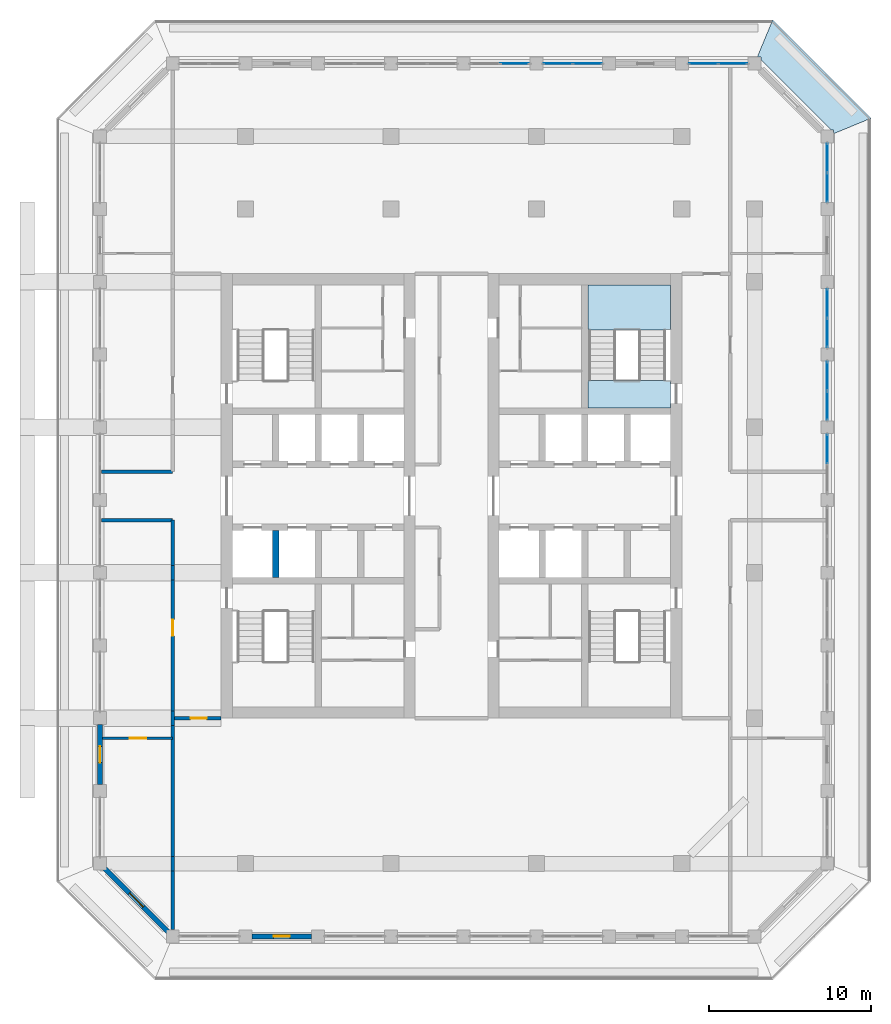
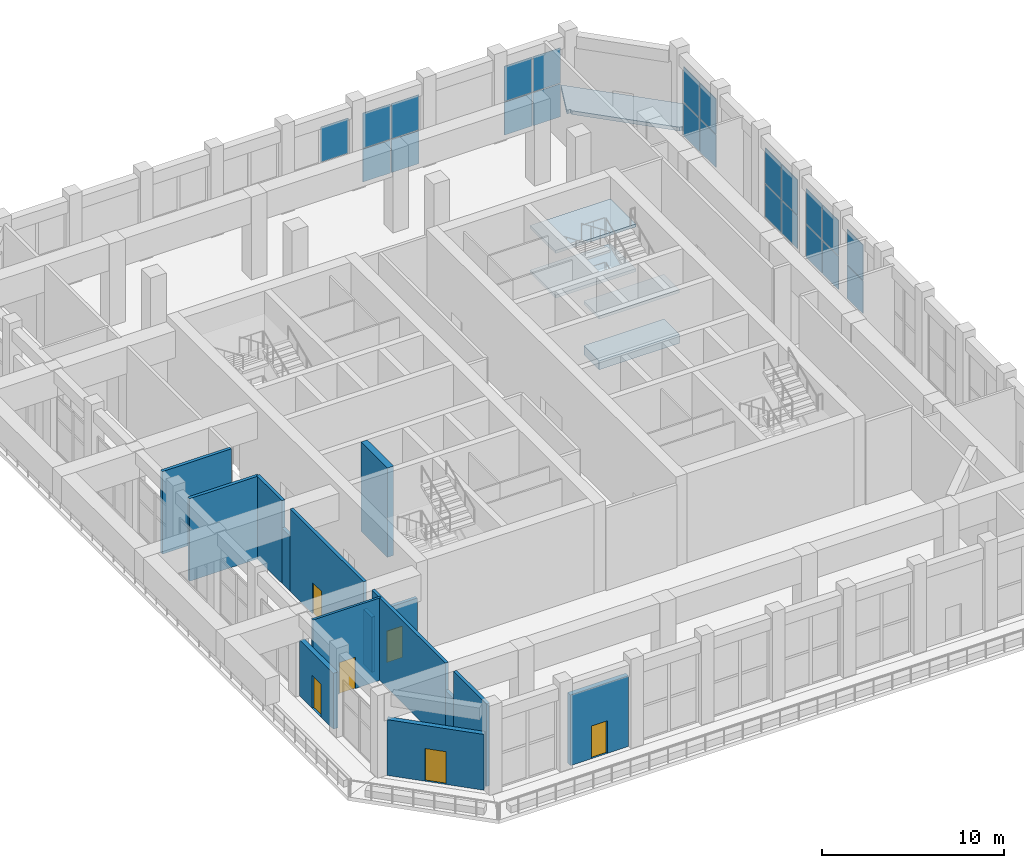
# One storey, part 11 of 25: 23 plates, 15 walls, 6 doors, 5 slabs, 6 openings, 8 elements without a shape of their own.
"""IFC4 building model written with IfcOpenShell, lengths in metres."""

from ifc_helpers import new_model, si_unit, direction, frame, frame_2d, origin, origin_2d, place, context, subcontext, project, spatial, polyline, rectangle, outline, extrude, material, layer, layer_set, type_object, element, fill, aggregate, save


model = new_model("IFC4")

# Units and contexts
model_context = context("Model", 3, precision=1e-05, world=origin(), true_north=direction((0.0, 1.0)))
body_context = subcontext(model_context, "Body", "Model", "MODEL_VIEW")
ifc_project = project(units=[si_unit("LENGTHUNIT", "METRE"), si_unit("AREAUNIT", "SQUARE_METRE"), si_unit("VOLUMEUNIT", "CUBIC_METRE"), si_unit("PLANEANGLEUNIT", "RADIAN"), si_unit("MASSUNIT", "GRAM", prefix="KILO")], contexts=[model_context])

# Site, building, storey
site_placement = place(None, origin())
site = spatial("IfcSite", under=ifc_project, at=site_placement, CompositionType="ELEMENT")
building_placement = place(site_placement, origin())
building = spatial("IfcBuilding", under=site, at=building_placement, Name="Corbel Stack Research Tower", CompositionType="ELEMENT")
storey_placement = place(building_placement, frame((0.0, 0.0, 260.300048828125)))
storey = spatial("IfcBuildingStorey", under=building, at=storey_placement, Name="L59", CompositionType="ELEMENT", Elevation=260.300048828125)

# Curtain wall, plates
ifc_material_1 = material(Name="Aluminium frame, clear glass", Category="aluminium")
curtain_wall_type = type_object("IfcCurtainWallType", Name="Upper amenity floor curtain wall CW3", PredefinedType="NOTDEFINED", material=ifc_material_1)
curtain_wall_1_placement = place(storey_placement, origin())
curtain_wall_1 = element("IfcCurtainWall", 1, at=curtain_wall_1_placement, inside=storey, type_object=curtain_wall_type, Name="Curtain wall CW3 L59 E06", PredefinedType="NOTDEFINED")
ifc_material_2 = material(Name="Low-emissivity glass", Category="glass")
ifc_layer_1 = layer(ifc_material_2, 0.035888671875)
ifc_layer_set_1 = layer_set([ifc_layer_1], Name="Low-emissivity glass")
plate_type = type_object("IfcPlateType", Name="Low-emissivity glazing 36", PredefinedType="CURTAIN_PANEL", material=ifc_layer_set_1)
plate_1_placement = place(storey_placement, frame((27.0, 7.659912109375, 0.06005859375), z_axis=(0.0, 0.0, 1.0), x_axis=(0.0, 1.0, 0.0)))
plate_1 = element("IfcPlate", 2, at=plate_1_placement, type_object=plate_type, Name="CW3 panel 2.1", PredefinedType="CURTAIN_PANEL", context=body_context, shape_type="SweptSolid", body=[
    extrude(rectangle(XDim=1.760009765625, YDim=0.035888671875, at=origin_2d()), origin(), (0.0, 0.0, 1.0), 2.2099609375),
])
plate_2_placement = place(storey_placement, frame((27.0, 7.659912109375, 2.330078125), z_axis=(0.0, 0.0, 1.0), x_axis=(0.0, 1.0, 0.0)))
plate_2 = element("IfcPlate", 3, at=plate_2_placement, type_object=plate_type, Name="CW3 panel 2.2", PredefinedType="CURTAIN_PANEL", context=body_context, shape_type="SweptSolid", body=[
    extrude(rectangle(XDim=1.760009765625, YDim=0.035888671875, at=origin_2d()), origin(), (0.0, 0.0, 1.0), 2.360107421875),
])
aggregate(curtain_wall_1, [plate_1, plate_2])

curtain_wall_2_placement = place(storey_placement, origin())
curtain_wall_2 = element("IfcCurtainWall", 4, at=curtain_wall_2_placement, inside=storey, type_object=curtain_wall_type, Name="Curtain wall CW3 L59 E07", PredefinedType="NOTDEFINED")
plate_3_placement = place(storey_placement, frame((27.0, 10.340087890625, 0.06005859375), z_axis=(0.0, 0.0, 1.0), x_axis=(0.0, 1.0, 0.0)))
plate_3 = element("IfcPlate", 5, at=plate_3_placement, type_object=plate_type, Name="CW3 panel 1.1", PredefinedType="CURTAIN_PANEL", context=body_context, shape_type="SweptSolid", body=[
    extrude(rectangle(XDim=1.760009765625, YDim=0.035888671875, at=origin_2d()), origin(), (0.0, 0.0, 1.0), 2.2099609375),
])
plate_4_placement = place(storey_placement, frame((27.0, 10.340087890625, 2.330078125), z_axis=(0.0, 0.0, 1.0), x_axis=(0.0, 1.0, 0.0)))
plate_4 = element("IfcPlate", 6, at=plate_4_placement, type_object=plate_type, Name="CW3 panel 1.2", PredefinedType="CURTAIN_PANEL", context=body_context, shape_type="SweptSolid", body=[
    extrude(rectangle(XDim=1.760009765625, YDim=0.035888671875, at=origin_2d()), origin(), (0.0, 0.0, 1.0), 2.360107421875),
])
plate_5_placement = place(storey_placement, frame((27.0, 12.159912109375, 0.06005859375), z_axis=(0.0, 0.0, 1.0), x_axis=(0.0, 1.0, 0.0)))
plate_5 = element("IfcPlate", 7, at=plate_5_placement, type_object=plate_type, Name="CW3 panel 2.1", PredefinedType="CURTAIN_PANEL", context=body_context, shape_type="SweptSolid", body=[
    extrude(rectangle(XDim=1.760009765625, YDim=0.035888671875, at=origin_2d()), origin(), (0.0, 0.0, 1.0), 2.2099609375),
])
plate_6_placement = place(storey_placement, frame((27.0, 12.159912109375, 2.330078125), z_axis=(0.0, 0.0, 1.0), x_axis=(0.0, 1.0, 0.0)))
plate_6 = element("IfcPlate", 8, at=plate_6_placement, type_object=plate_type, Name="CW3 panel 2.2", PredefinedType="CURTAIN_PANEL", context=body_context, shape_type="SweptSolid", body=[
    extrude(rectangle(XDim=1.760009765625, YDim=0.035888671875, at=origin_2d()), origin(), (0.0, 0.0, 1.0), 2.360107421875),
])
aggregate(curtain_wall_2, [plate_3, plate_4, plate_5, plate_6])

curtain_wall_3_placement = place(storey_placement, origin())
curtain_wall_3 = element("IfcCurtainWall", 9, at=curtain_wall_3_placement, inside=storey, type_object=curtain_wall_type, Name="Curtain wall CW3 L59 E08", PredefinedType="NOTDEFINED")
plate_7_placement = place(storey_placement, frame((27.0, 14.840087890625, 0.06005859375), z_axis=(0.0, 0.0, 1.0), x_axis=(0.0, 1.0, 0.0)))
plate_7 = element("IfcPlate", 10, at=plate_7_placement, type_object=plate_type, Name="CW3 panel 1.1", PredefinedType="CURTAIN_PANEL", context=body_context, shape_type="SweptSolid", body=[
    extrude(rectangle(XDim=1.760009765625, YDim=0.035888671875, at=origin_2d()), origin(), (0.0, 0.0, 1.0), 2.2099609375),
])
plate_8_placement = place(storey_placement, frame((27.0, 14.840087890625, 2.330078125), z_axis=(0.0, 0.0, 1.0), x_axis=(0.0, 1.0, 0.0)))
plate_8 = element("IfcPlate", 11, at=plate_8_placement, type_object=plate_type, Name="CW3 panel 1.2", PredefinedType="CURTAIN_PANEL", context=body_context, shape_type="SweptSolid", body=[
    extrude(rectangle(XDim=1.760009765625, YDim=0.035888671875, at=origin_2d()), origin(), (0.0, 0.0, 1.0), 2.360107421875),
])
plate_9_placement = place(storey_placement, frame((27.0, 16.659912109375, 0.06005859375), z_axis=(0.0, 0.0, 1.0), x_axis=(0.0, 1.0, 0.0)))
plate_9 = element("IfcPlate", 12, at=plate_9_placement, type_object=plate_type, Name="CW3 panel 2.1", PredefinedType="CURTAIN_PANEL", context=body_context, shape_type="SweptSolid", body=[
    extrude(rectangle(XDim=1.760009765625, YDim=0.035888671875, at=origin_2d()), origin(), (0.0, 0.0, 1.0), 2.2099609375),
])
plate_10_placement = place(storey_placement, frame((27.0, 16.659912109375, 2.330078125), z_axis=(0.0, 0.0, 1.0), x_axis=(0.0, 1.0, 0.0)))
plate_10 = element("IfcPlate", 13, at=plate_10_placement, type_object=plate_type, Name="CW3 panel 2.2", PredefinedType="CURTAIN_PANEL", context=body_context, shape_type="SweptSolid", body=[
    extrude(rectangle(XDim=1.760009765625, YDim=0.035888671875, at=origin_2d()), origin(), (0.0, 0.0, 1.0), 2.360107421875),
])
aggregate(curtain_wall_3, [plate_7, plate_8, plate_9, plate_10])

curtain_wall_4_placement = place(storey_placement, origin())
curtain_wall_4 = element("IfcCurtainWall", 14, at=curtain_wall_4_placement, inside=storey, type_object=curtain_wall_type, Name="Curtain wall CW3 L59 E10", PredefinedType="NOTDEFINED")
plate_11_placement = place(storey_placement, frame((27.0, 23.840087890625, 0.06005859375), z_axis=(0.0, 0.0, 1.0), x_axis=(0.0, 1.0, 0.0)))
plate_11 = element("IfcPlate", 15, at=plate_11_placement, type_object=plate_type, Name="CW3 panel 1.1", PredefinedType="CURTAIN_PANEL", context=body_context, shape_type="SweptSolid", body=[
    extrude(rectangle(XDim=1.760009765625, YDim=0.035888671875, at=origin_2d()), origin(), (0.0, 0.0, 1.0), 2.2099609375),
])
plate_12_placement = place(storey_placement, frame((27.0, 23.840087890625, 2.330078125), z_axis=(0.0, 0.0, 1.0), x_axis=(0.0, 1.0, 0.0)))
plate_12 = element("IfcPlate", 16, at=plate_12_placement, type_object=plate_type, Name="CW3 panel 1.2", PredefinedType="CURTAIN_PANEL", context=body_context, shape_type="SweptSolid", body=[
    extrude(rectangle(XDim=1.760009765625, YDim=0.035888671875, at=origin_2d()), origin(), (0.0, 0.0, 1.0), 2.360107421875),
])
plate_13_placement = place(storey_placement, frame((27.0, 25.659912109375, 0.06005859375), z_axis=(0.0, 0.0, 1.0), x_axis=(0.0, 1.0, 0.0)))
plate_13 = element("IfcPlate", 17, at=plate_13_placement, type_object=plate_type, Name="CW3 panel 2.1", PredefinedType="CURTAIN_PANEL", context=body_context, shape_type="SweptSolid", body=[
    extrude(rectangle(XDim=1.760009765625, YDim=0.035888671875, at=origin_2d()), origin(), (0.0, 0.0, 1.0), 2.2099609375),
])
plate_14_placement = place(storey_placement, frame((27.0, 25.659912109375, 2.330078125), z_axis=(0.0, 0.0, 1.0), x_axis=(0.0, 1.0, 0.0)))
plate_14 = element("IfcPlate", 18, at=plate_14_placement, type_object=plate_type, Name="CW3 panel 2.2", PredefinedType="CURTAIN_PANEL", context=body_context, shape_type="SweptSolid", body=[
    extrude(rectangle(XDim=1.760009765625, YDim=0.035888671875, at=origin_2d()), origin(), (0.0, 0.0, 1.0), 2.360107421875),
])
aggregate(curtain_wall_4, [plate_11, plate_12, plate_13, plate_14])

curtain_wall_5_placement = place(storey_placement, origin())
curtain_wall_5 = element("IfcCurtainWall", 19, at=curtain_wall_5_placement, inside=storey, type_object=curtain_wall_type, Name="Curtain wall CW3 L59 N01", PredefinedType="NOTDEFINED")
plate_15_placement = place(storey_placement, frame((21.159912109375, 31.5, 0.06005859375), z_axis=(0.0, 0.0, 1.0), x_axis=(-1.0, 0.0, 0.0)))
plate_15 = element("IfcPlate", 20, at=plate_15_placement, type_object=plate_type, Name="CW3 panel 1.1", PredefinedType="CURTAIN_PANEL", context=body_context, shape_type="SweptSolid", body=[
    extrude(rectangle(XDim=1.760009765625, YDim=0.035888671875, at=origin_2d()), origin(), (0.0, 0.0, 1.0), 2.2099609375),
])
plate_16_placement = place(storey_placement, frame((21.159912109375, 31.5, 2.330078125), z_axis=(0.0, 0.0, 1.0), x_axis=(-1.0, 0.0, 0.0)))
plate_16 = element("IfcPlate", 21, at=plate_16_placement, type_object=plate_type, Name="CW3 panel 1.2", PredefinedType="CURTAIN_PANEL", context=body_context, shape_type="SweptSolid", body=[
    extrude(rectangle(XDim=1.760009765625, YDim=0.035888671875, at=origin_2d()), origin(), (0.0, 0.0, 1.0), 2.360107421875),
])
plate_17_placement = place(storey_placement, frame((19.340087890625, 31.5, 0.06005859375), z_axis=(0.0, 0.0, 1.0), x_axis=(-1.0, 0.0, 0.0)))
plate_17 = element("IfcPlate", 22, at=plate_17_placement, type_object=plate_type, Name="CW3 panel 2.1", PredefinedType="CURTAIN_PANEL", context=body_context, shape_type="SweptSolid", body=[
    extrude(rectangle(XDim=1.760009765625, YDim=0.035888671875, at=origin_2d()), origin(), (0.0, 0.0, 1.0), 2.2099609375),
])
plate_18_placement = place(storey_placement, frame((19.340087890625, 31.5, 2.330078125), z_axis=(0.0, 0.0, 1.0), x_axis=(-1.0, 0.0, 0.0)))
plate_18 = element("IfcPlate", 23, at=plate_18_placement, type_object=plate_type, Name="CW3 panel 2.2", PredefinedType="CURTAIN_PANEL", context=body_context, shape_type="SweptSolid", body=[
    extrude(rectangle(XDim=1.760009765625, YDim=0.035888671875, at=origin_2d()), origin(), (0.0, 0.0, 1.0), 2.360107421875),
])
aggregate(curtain_wall_5, [plate_15, plate_16, plate_17, plate_18])

curtain_wall_6_placement = place(storey_placement, origin())
curtain_wall_6 = element("IfcCurtainWall", 24, at=curtain_wall_6_placement, inside=storey, type_object=curtain_wall_type, Name="Curtain wall CW3 L59 N03", PredefinedType="NOTDEFINED")
plate_19_placement = place(storey_placement, frame((12.159912109375, 31.5, 0.06005859375), z_axis=(0.0, 0.0, 1.0), x_axis=(-1.0, 0.0, 0.0)))
plate_19 = element("IfcPlate", 25, at=plate_19_placement, type_object=plate_type, Name="CW3 panel 1.1", PredefinedType="CURTAIN_PANEL", context=body_context, shape_type="SweptSolid", body=[
    extrude(rectangle(XDim=1.760009765625, YDim=0.035888671875, at=origin_2d()), origin(), (0.0, 0.0, 1.0), 2.2099609375),
])
plate_20_placement = place(storey_placement, frame((12.159912109375, 31.5, 2.330078125), z_axis=(0.0, 0.0, 1.0), x_axis=(-1.0, 0.0, 0.0)))
plate_20 = element("IfcPlate", 26, at=plate_20_placement, type_object=plate_type, Name="CW3 panel 1.2", PredefinedType="CURTAIN_PANEL", context=body_context, shape_type="SweptSolid", body=[
    extrude(rectangle(XDim=1.760009765625, YDim=0.035888671875, at=origin_2d()), origin(), (0.0, 0.0, 1.0), 2.360107421875),
])
plate_21_placement = place(storey_placement, frame((10.340087890625, 31.5, 0.06005859375), z_axis=(0.0, 0.0, 1.0), x_axis=(-1.0, 0.0, 0.0)))
plate_21 = element("IfcPlate", 27, at=plate_21_placement, type_object=plate_type, Name="CW3 panel 2.1", PredefinedType="CURTAIN_PANEL", context=body_context, shape_type="SweptSolid", body=[
    extrude(rectangle(XDim=1.760009765625, YDim=0.035888671875, at=origin_2d()), origin(), (0.0, 0.0, 1.0), 2.2099609375),
])
plate_22_placement = place(storey_placement, frame((10.340087890625, 31.5, 2.330078125), z_axis=(0.0, 0.0, 1.0), x_axis=(-1.0, 0.0, 0.0)))
plate_22 = element("IfcPlate", 28, at=plate_22_placement, type_object=plate_type, Name="CW3 panel 2.2", PredefinedType="CURTAIN_PANEL", context=body_context, shape_type="SweptSolid", body=[
    extrude(rectangle(XDim=1.760009765625, YDim=0.035888671875, at=origin_2d()), origin(), (0.0, 0.0, 1.0), 2.360107421875),
])
aggregate(curtain_wall_6, [plate_19, plate_20, plate_21, plate_22])

# Curtain wall, plate
curtain_wall_7_placement = place(storey_placement, origin())
curtain_wall_7 = element("IfcCurtainWall", 29, at=curtain_wall_7_placement, inside=storey, type_object=curtain_wall_type, Name="Curtain wall CW3 L59 N04", PredefinedType="NOTDEFINED")
plate_23_placement = place(storey_placement, frame((7.659912109375, 31.5, 2.330078125), z_axis=(0.0, 0.0, 1.0), x_axis=(-1.0, 0.0, 0.0)))
plate_23 = element("IfcPlate", 30, at=plate_23_placement, type_object=plate_type, Name="CW3 panel 1.2", PredefinedType="CURTAIN_PANEL", context=body_context, shape_type="SweptSolid", body=[
    extrude(rectangle(XDim=1.760009765625, YDim=0.035888671875, at=origin_2d()), origin(), (0.0, 0.0, 1.0), 2.360107421875),
])
aggregate(curtain_wall_7, [plate_23])

# Slabs
ifc_material_3 = material(Name="Concrete C45/55", Category="concrete")
ifc_layer_2 = layer(ifc_material_3, 0.25)
ifc_layer_set_2 = layer_set([ifc_layer_2], Name="Concrete C45/55")
slab_type_1 = type_object("IfcSlabType", Name="PT balcony slab 250 C45/55", PredefinedType="FLOOR", material=ifc_layer_set_2)
slab_1_placement = place(storey_placement, frame((0.0, 0.0, -0.25)))
element("IfcSlab", 31, at=slab_1_placement, inside=storey, type_object=slab_type_1, Name="Loggia slab L59 NE", PredefinedType="FLOOR", context=body_context, shape_type="SweptSolid", body=[
    extrude(outline(polyline([(22.686279296875, 31.949951171875), (22.736328125, 31.89990234375), (22.89990234375, 31.89990234375), (22.89990234375, 31.736328125), (27.236328125, 27.39990234375), (27.39990234375, 27.39990234375), (27.39990234375, 27.236328125), (27.449951171875, 27.186279296875), (29.699951171875, 28.118408203125), (23.618408203125, 34.199951171875), (22.686279296875, 31.949951171875)])), origin(), (0.0, 0.0, 1.0), 0.25),
])
ifc_material_4 = material(Name="Concrete C45/55", Category="concrete")
ifc_layer_3 = layer(ifc_material_4, 0.60009765625)
ifc_layer_set_3 = layer_set([ifc_layer_3], Name="Concrete C45/55")
slab_type_2 = type_object("IfcSlabType", Name="PT-600", PredefinedType="FLOOR", material=ifc_layer_set_3)
slab_2_placement = place(storey_placement, frame((0.0, 0.0, -0.60009765625)))
element("IfcSlab", 32, at=slab_2_placement, inside=storey, type_object=slab_type_2, Name="Stair floor landing ST-E2", PredefinedType="FLOOR", context=body_context, shape_type="SweptSolid", body=[
    extrude(outline(polyline([(12.199951171875, 10.199951171875), (17.300048828125, 10.199951171875), (17.300048828125, 11.89990234375), (12.199951171875, 11.89990234375), (12.199951171875, 10.199951171875)])), origin(), (0.0, 0.0, 1.0), 0.60009765625),
])

# Stair, slabs
ifc_material_5 = material(Name="Concrete C40/50", Category="concrete")
stair_type = type_object("IfcStairType", Name="Exit stair 36 risers, 388 going", PredefinedType="HALF_TURN_STAIR", material=ifc_material_5)
stair_placement = place(storey_placement, origin())
stair = element("IfcStair", 33, at=stair_placement, inside=storey, type_object=stair_type, Name="L59 Exit stair ST-E2", PredefinedType="HALF_TURN_STAIR")
ifc_material_6 = material(Name="Concrete C40/50", Category="concrete")
ifc_layer_4 = layer(ifc_material_6, 0.199951171875)
ifc_layer_set_4 = layer_set([ifc_layer_4], Name="Concrete C40/50")
slab_type_3 = type_object("IfcSlabType", Name="Stair landing 200 C40/50", PredefinedType="LANDING", material=ifc_layer_set_4)
slab_3_placement = place(storey_placement, frame((0.0, 0.0, 1.300048828125)))
slab_3 = element("IfcSlab", 34, at=slab_3_placement, type_object=slab_type_3, Name="ST-E2 landing 1", PredefinedType="LANDING", context=body_context, shape_type="SweptSolid", body=[
    extrude(outline(polyline([(12.199951171875, 15.00390625), (12.199951171875, 17.800048828125), (17.300048828125, 17.800048828125), (17.300048828125, 15.00390625), (12.199951171875, 15.00390625)])), origin(), (0.0, 0.0, 1.0), 0.199951171875),
])
slab_4_placement = place(storey_placement, frame((0.0, 0.0, 2.800048828125)))
slab_4 = element("IfcSlab", 35, at=slab_4_placement, type_object=slab_type_3, Name="ST-E2 landing 2", PredefinedType="LANDING", context=body_context, shape_type="SweptSolid", body=[
    extrude(outline(polyline([(12.199951171875, 10.199951171875), (12.199951171875, 11.89990234375), (17.300048828125, 11.89990234375), (17.300048828125, 10.199951171875), (12.199951171875, 10.199951171875)])), origin(), (0.0, 0.0, 1.0), 0.199951171875),
])
slab_5_placement = place(storey_placement, frame((0.0, 0.0, 4.300048828125)))
slab_5 = element("IfcSlab", 36, at=slab_5_placement, type_object=slab_type_3, Name="ST-E2 landing 3", PredefinedType="LANDING", context=body_context, shape_type="SweptSolid", body=[
    extrude(outline(polyline([(12.199951171875, 15.00390625), (12.199951171875, 17.800048828125), (17.300048828125, 17.800048828125), (17.300048828125, 15.00390625), (12.199951171875, 15.00390625)])), origin(), (0.0, 0.0, 1.0), 0.199951171875),
])
aggregate(stair, [slab_3, slab_4, slab_5])

# Walls
ifc_material_7 = material(Name="Concrete C60/75", Category="concrete")
ifc_layer_5 = layer(ifc_material_7, 0.39990234375)
ifc_layer_set_5 = layer_set([ifc_layer_5], Name="Concrete C60/75")
wall_type_1 = type_object("IfcWallType", Name="CW-400-60", PredefinedType="SHEAR", material=ifc_layer_set_5)
wall_1_placement = place(storey_placement, frame((-7.125, -0.300048828125, 0.0), z_axis=(0.0, 0.0, 1.0), x_axis=(0.0, 1.0, 0.0)))
element("IfcWall", 37, at=wall_1_placement, inside=storey, type_object=wall_type_1, Name="West core wall, south shaft 1 L59", PredefinedType="SHEAR", context=body_context, shape_type="SweptSolid", body=[
    extrude(rectangle(XDim=2.900146484375, YDim=0.39990234375, at=frame_2d((1.4501953125, 0.0))), origin(), (0.0, 0.0, 1.0), 6.0),
])
ifc_material_8 = material(Name="Fire-rated gypsum board partition on steel studs", Category="steel")
ifc_layer_6 = layer(ifc_material_8, 0.199951171875)
ifc_layer_set_6 = layer_set([ifc_layer_6], Name="Fire-rated gypsum board partition on steel studs")
wall_type_2 = type_object("IfcWallType", Name="Fire-rated partition 200 EI 60", PredefinedType="PARTITIONING", material=ifc_layer_set_6)
wall_2_placement = place(storey_placement, frame((-13.5, -22.0771484375, 0.0), z_axis=(0.0, 0.0, 1.0), x_axis=(0.0, 1.0, 0.0)))
element("IfcWall", 38, at=wall_2_placement, inside=storey, type_object=wall_type_2, Name="Partition L59-001", PredefinedType="PARTITIONING", context=body_context, shape_type="SweptSolid", body=[
    extrude(rectangle(XDim=3.627197265625, YDim=0.199951171875, at=frame_2d((1.8134765625, 0.0))), origin(), (0.0, 0.0, 1.0), 5.550048828125),
])
wall_3_placement = place(storey_placement, frame((-13.5, -18.449951171875, 0.0), z_axis=(0.0, 0.0, 1.0), x_axis=(0.0, 1.0, 0.0)))
element("IfcWall", 39, at=wall_3_placement, inside=storey, type_object=wall_type_2, Name="Partition L59-002", PredefinedType="PARTITIONING", context=body_context, shape_type="SweptSolid", body=[
    extrude(rectangle(XDim=0.89990234375, YDim=0.199951171875, at=frame_2d((0.449951171875, 0.0))), origin(), (0.0, 0.0, 1.0), 3.719970703125),
])
wall_4_placement = place(storey_placement, frame((-13.5, -17.550048828125, 0.0), z_axis=(0.0, 0.0, 1.0), x_axis=(0.0, 1.0, 0.0)))
element("IfcWall", 40, at=wall_4_placement, inside=storey, type_object=wall_type_2, Name="Partition L59-003", PredefinedType="PARTITIONING", context=body_context, shape_type="SweptSolid", body=[
    extrude(rectangle(XDim=8.10009765625, YDim=0.199951171875, at=frame_2d((4.050048828125, 0.0))), origin(), (0.0, 0.0, 1.0), 5.550048828125),
])
wall_5_placement = place(storey_placement, frame((-13.5, -9.449951171875, 0.0), z_axis=(0.0, 0.0, 1.0), x_axis=(0.0, 1.0, 0.0)))
element("IfcWall", 41, at=wall_5_placement, inside=storey, type_object=wall_type_2, Name="Partition L59-004", PredefinedType="PARTITIONING", context=body_context, shape_type="SweptSolid", body=[
    extrude(rectangle(XDim=0.89990234375, YDim=0.199951171875, at=frame_2d((0.449951171875, 0.0))), origin(), (0.0, 0.0, 1.0), 3.719970703125),
])

# Wall, opening, door
wall_6_placement = place(storey_placement, frame((-13.5, -8.550048828125, 0.0), z_axis=(0.0, 0.0, 1.0), x_axis=(0.0, 1.0, 0.0)))
wall_6 = element("IfcWall", 42, at=wall_6_placement, inside=storey, type_object=wall_type_2, Name="Partition L59-005", PredefinedType="PARTITIONING", context=body_context, shape_type="SweptSolid", body=[
    extrude(rectangle(XDim=8.10009765625, YDim=0.199951171875, at=frame_2d((4.050048828125, 0.0))), origin(), (0.0, 0.0, 1.0), 5.550048828125),
])
opening_1_placement = place(wall_6_placement, frame((4.64990234375, 0.0, 0.0)))
opening_1 = element("IfcOpeningElement", 43, at=opening_1_placement, cuts=wall_6, Name="Opening B7AM-001", PredefinedType="OPENING", context=body_context, shape_type="SweptSolid", body=[
    extrude(rectangle(XDim=1.0, YDim=2.10009765625, at=frame_2d((0.5, 1.050048828125))), frame((0.0, 0.10986328125, 0.0), z_axis=(0.0, -1.0, 0.0), x_axis=(1.0, 0.0, 0.0)), (0.0, 0.0, 1.0), 0.219970703125),
])
ifc_material_9 = material(Name="Painted steel fire door", Category="steel")
door_type_1 = type_object("IfcDoorType", Name="Fire door FD30S 1000 x 2100", OperationType="NOTDEFINED", PredefinedType="DOOR", material=ifc_material_9)
door_1_placement = place(opening_1_placement, origin())
door_1 = element("IfcDoor", 44, at=door_1_placement, inside=storey, type_object=door_type_1, Name="Door B7AM-001", OperationType="SINGLE_SWING_RIGHT", OverallHeight=2.10009765625, OverallWidth=1.0, PredefinedType="DOOR", context=body_context, shape_type="SweptSolid", body=[
    extrude(rectangle(XDim=1.0, YDim=2.10009765625, at=frame_2d((0.5, 1.050048828125))), frame((0.0, 0.02490234375, 0.0), z_axis=(0.0, -1.0, 0.0), x_axis=(1.0, 0.0, 0.0)), (0.0, 0.0, 1.0), 0.050048828125),
])
fill(opening_1, door_1)

# Walls
wall_7_placement = place(storey_placement, frame((-13.5, -0.449951171875, 0.0), z_axis=(0.0, 0.0, 1.0), x_axis=(0.0, 1.0, 0.0)))
element("IfcWall", 45, at=wall_7_placement, inside=storey, type_object=wall_type_2, Name="Partition L59-006", PredefinedType="PARTITIONING", context=body_context, shape_type="SweptSolid", body=[
    extrude(rectangle(XDim=0.89990234375, YDim=0.199951171875, at=frame_2d((0.449951171875, 0.0))), origin(), (0.0, 0.0, 1.0), 3.719970703125),
])
wall_8_placement = place(storey_placement, frame((-13.5, 0.449951171875, 0.0), z_axis=(0.0, 0.0, 1.0), x_axis=(0.0, 1.0, 0.0)))
element("IfcWall", 46, at=wall_8_placement, inside=storey, type_object=wall_type_2, Name="Partition L59-007", PredefinedType="PARTITIONING", context=body_context, shape_type="SweptSolid", body=[
    extrude(rectangle(XDim=2.800048828125, YDim=0.199951171875, at=frame_2d((1.39990234375, 0.0))), origin(), (0.0, 0.0, 1.0), 5.550048828125),
])

# Wall, opening, door
wall_9_placement = place(storey_placement, frame((-10.5, -9.0, 0.0), z_axis=(0.0, 0.0, 1.0), x_axis=(-1.0, 0.0, 0.0)))
wall_9 = element("IfcWall", 47, at=wall_9_placement, inside=storey, type_object=wall_type_2, Name="Partition L59-025", PredefinedType="PARTITIONING", context=body_context, shape_type="SweptSolid", body=[
    extrude(rectangle(XDim=3.0, YDim=0.199951171875, at=frame_2d((1.5, 0.0))), origin(), (0.0, 0.0, 1.0), 3.719970703125),
])
opening_2_placement = place(wall_9_placement, frame((0.89990234375, 0.0, 0.0)))
opening_2 = element("IfcOpeningElement", 48, at=opening_2_placement, cuts=wall_9, Name="Opening B7AM-005", PredefinedType="OPENING", context=body_context, shape_type="SweptSolid", body=[
    extrude(rectangle(XDim=1.0, YDim=2.10009765625, at=frame_2d((0.5, 1.050048828125))), frame((0.0, 0.10986328125, 0.0), z_axis=(0.0, -1.0, 0.0), x_axis=(1.0, 0.0, 0.0)), (0.0, 0.0, 1.0), 0.219970703125),
])
door_2_placement = place(opening_2_placement, origin())
door_2 = element("IfcDoor", 49, at=door_2_placement, inside=storey, type_object=door_type_1, Name="Door B7AM-005", OperationType="SINGLE_SWING_LEFT", OverallHeight=2.10009765625, OverallWidth=1.0, PredefinedType="DOOR", context=body_context, shape_type="SweptSolid", body=[
    extrude(rectangle(XDim=1.0, YDim=2.10009765625, at=frame_2d((0.5, 1.050048828125))), frame((0.0, 0.02490234375, 0.0), z_axis=(0.0, -1.0, 0.0), x_axis=(1.0, 0.0, 0.0)), (0.0, 0.0, 1.0), 0.050048828125),
])
fill(opening_2, door_2)

# Walls
for number, where, z_axis, x_axis, name in (
    (50, (-17.89990234375, 3.25, 0.0), (0.0, 0.0, 1.0), (1.0, 0.0, 0.0), "Partition L59-030"),
    (51, (-17.89990234375, 6.25, 0.0), (0.0, 0.0, 1.0), (1.0, 0.0, 0.0), "Partition L59-034"),
):
    element("IfcWall", number, at=place(storey_placement, frame(where, z_axis=z_axis, x_axis=x_axis)), inside=storey, type_object=wall_type_2, Name=name, PredefinedType="PARTITIONING", context=body_context, shape_type="SweptSolid", body=[
        extrude(rectangle(XDim=4.39990234375, YDim=0.199951171875, at=frame_2d((2.199951171875, 0.0))), origin(), (0.0, 0.0, 1.0), 5.550048828125),
    ])

# Wall, opening, door
ifc_material_10 = material(Name="Gypsum board partition on steel studs", Category="steel")
ifc_layer_7 = layer(ifc_material_10, 0.14990234375)
ifc_layer_set_7 = layer_set([ifc_layer_7], Name="Gypsum board partition on steel studs")
wall_type_3 = type_object("IfcWallType", Name="Partition 150", PredefinedType="PARTITIONING", material=ifc_layer_set_7)
wall_10_placement = place(storey_placement, frame((-13.5, -10.25, 0.0), z_axis=(0.0, 0.0, 1.0), x_axis=(-1.0, 0.0, 0.0)))
wall_10 = element("IfcWall", 52, at=wall_10_placement, inside=storey, type_object=wall_type_3, Name="Partition L59-021", PredefinedType="PARTITIONING", context=body_context, shape_type="SweptSolid", body=[
    extrude(rectangle(XDim=4.35009765625, YDim=0.14990234375, at=frame_2d((2.175048828125, 0.0))), origin(), (0.0, 0.0, 1.0), 5.550048828125),
])
opening_3_placement = place(wall_10_placement, frame((1.64990234375, 0.0, 0.0)))
opening_3 = element("IfcOpeningElement", 53, at=opening_3_placement, cuts=wall_10, Name="Opening B7AM-003", PredefinedType="OPENING", context=body_context, shape_type="SweptSolid", body=[
    extrude(rectangle(XDim=1.0, YDim=2.10009765625, at=frame_2d((0.5, 1.050048828125))), frame((0.0, 0.0849609375, 0.0), z_axis=(0.0, -1.0, 0.0), x_axis=(1.0, 0.0, 0.0)), (0.0, 0.0, 1.0), 0.169921875),
])
ifc_material_11 = material(Name="Painted timber door", Category="wood")
door_type_2 = type_object("IfcDoorType", Name="Single door 1000 x 2100", OperationType="NOTDEFINED", PredefinedType="DOOR", material=ifc_material_11)
door_3_placement = place(opening_3_placement, origin())
door_3 = element("IfcDoor", 54, at=door_3_placement, inside=storey, type_object=door_type_2, Name="Door B7AM-003", OperationType="SINGLE_SWING_RIGHT", OverallHeight=2.10009765625, OverallWidth=1.0, PredefinedType="DOOR", context=body_context, shape_type="SweptSolid", body=[
    extrude(rectangle(XDim=1.0, YDim=2.10009765625, at=frame_2d((0.5, 1.050048828125))), frame((0.0, 0.02490234375, 0.0), z_axis=(0.0, -1.0, 0.0), x_axis=(1.0, 0.0, 0.0)), (0.0, 0.0, 1.0), 0.050048828125),
])
fill(opening_3, door_3)

ifc_material_12 = material(Name="Concrete C45/55", Category="concrete")
ifc_layer_8 = layer(ifc_material_12, 0.300048828125)
ifc_layer_set_8 = layer_set([ifc_layer_8], Name="Concrete C45/55")
wall_type_4 = type_object("IfcWallType", Name="Terracotta-faced concrete wall 300", PredefinedType="SOLIDWALL", material=ifc_layer_set_8)
wall_11_placement = place(storey_placement, frame((-4.89990234375, -22.5, 0.0), z_axis=(0.0, 0.0, 1.0), x_axis=(-1.0, 0.0, 0.0)))
wall_11 = element("IfcWall", 55, at=wall_11_placement, inside=storey, type_object=wall_type_4, Name="Facade wall L59 S02", PredefinedType="SOLIDWALL", context=body_context, shape_type="SweptSolid", body=[
    extrude(rectangle(XDim=3.7001953125, YDim=0.300048828125, at=frame_2d((1.85009765625, 0.0))), origin(), (0.0, 0.0, 1.0), 4.75),
])
opening_4_placement = place(wall_11_placement, frame((1.35009765625, 0.0, 0.0)))
opening_4 = element("IfcOpeningElement", 56, at=opening_4_placement, cuts=wall_11, Name="Opening L59-B01", PredefinedType="OPENING", context=body_context, shape_type="SweptSolid", body=[
    extrude(rectangle(XDim=1.0, YDim=2.199951171875, at=frame_2d((0.5, 1.10009765625))), frame((0.0, 0.159912109375, 0.0), z_axis=(0.0, -1.0, 0.0), x_axis=(1.0, 0.0, 0.0)), (0.0, 0.0, 1.0), 0.320068359375),
])
ifc_material_13 = material(Name="Aluminium frame, clear double glazing", Category="aluminium")
door_type_3 = type_object("IfcDoorType", Name="Balcony door BD1 1000 x 2200", OperationType="NOTDEFINED", PredefinedType="DOOR", material=ifc_material_13)
door_4_placement = place(opening_4_placement, origin())
door_4 = element("IfcDoor", 57, at=door_4_placement, inside=storey, type_object=door_type_3, Name="Balcony door L59-B01", OperationType="SINGLE_SWING_LEFT", OverallHeight=2.199951171875, OverallWidth=1.0, PredefinedType="DOOR", context=body_context, shape_type="SweptSolid", body=[
    extrude(rectangle(XDim=1.0, YDim=2.199951171875, at=frame_2d((0.5, 1.10009765625))), frame((0.0, 0.02490234375, 0.0), z_axis=(0.0, -1.0, 0.0), x_axis=(1.0, 0.0, 0.0)), (0.0, 0.0, 1.0), 0.050048828125),
])
fill(opening_4, door_4)

wall_12_placement = place(storey_placement, frame((-18.0, -13.10009765625, 0.0), z_axis=(0.0, 0.0, 1.0), x_axis=(0.0, 1.0, 0.0)))
wall_12 = element("IfcWall", 58, at=wall_12_placement, inside=storey, type_object=wall_type_4, Name="Facade wall L59 W09", PredefinedType="SOLIDWALL", context=body_context, shape_type="SweptSolid", body=[
    extrude(rectangle(XDim=3.7001953125, YDim=0.300048828125, at=frame_2d((1.85009765625, 0.0))), origin(), (0.0, 0.0, 1.0), 3.75),
])
opening_5_placement = place(wall_12_placement, frame((1.35009765625, 0.0, 0.0)))
opening_5 = element("IfcOpeningElement", 59, at=opening_5_placement, cuts=wall_12, Name="Opening L59-B11", PredefinedType="OPENING", context=body_context, shape_type="SweptSolid", body=[
    extrude(rectangle(XDim=1.0, YDim=2.199951171875, at=frame_2d((0.5, 1.10009765625))), frame((0.0, 0.159912109375, 0.0), z_axis=(0.0, -1.0, 0.0), x_axis=(1.0, 0.0, 0.0)), (0.0, 0.0, 1.0), 0.320068359375),
])
door_5_placement = place(opening_5_placement, origin())
door_5 = element("IfcDoor", 60, at=door_5_placement, inside=storey, type_object=door_type_3, Name="Balcony door L59-B11", OperationType="SINGLE_SWING_RIGHT", OverallHeight=2.199951171875, OverallWidth=1.0, PredefinedType="DOOR", context=body_context, shape_type="SweptSolid", body=[
    extrude(rectangle(XDim=1.0, YDim=2.199951171875, at=frame_2d((0.5, 1.10009765625))), frame((0.0, 0.02490234375, 0.0), z_axis=(0.0, -1.0, 0.0), x_axis=(1.0, 0.0, 0.0)), (0.0, 0.0, 1.0), 0.050048828125),
])
fill(opening_5, door_5)

wall_13_placement = place(storey_placement, frame((-13.7939453125, -22.2060546875, 0.0), z_axis=(0.0, 0.0, 1.0), x_axis=(-0.707106781187, 0.707106781187, 0.0)))
wall_13 = element("IfcWall", 61, at=wall_13_placement, inside=storey, type_object=wall_type_4, Name="Facade wall L59 SW01", PredefinedType="SOLIDWALL", context=body_context, shape_type="SweptSolid", body=[
    extrude(rectangle(XDim=5.532470703125, YDim=0.300048828125, at=frame_2d((2.76611328125, 0.0))), origin(), (0.0, 0.0, 1.0), 3.75),
])
opening_6_placement = place(wall_13_placement, frame((2.166259765625, 0.0, 0.0)))
opening_6 = element("IfcOpeningElement", 62, at=opening_6_placement, cuts=wall_13, Name="Opening L59-B12", PredefinedType="OPENING", context=body_context, shape_type="SweptSolid", body=[
    extrude(rectangle(XDim=1.199951171875, YDim=2.199951171875, at=frame_2d((0.60009765625, 1.10009765625))), frame((0.0, 0.159912109375, 0.0), z_axis=(0.0, -1.0, 0.0), x_axis=(1.0, 0.0, 0.0)), (0.0, 0.0, 1.0), 0.320068359375),
])
ifc_material_14 = material(Name="Aluminium frame, clear double glazing", Category="aluminium")
door_type_4 = type_object("IfcDoorType", Name="Balcony door BD2 1200 x 2200", OperationType="NOTDEFINED", PredefinedType="DOOR", material=ifc_material_14)
door_6_placement = place(opening_6_placement, origin())
door_6 = element("IfcDoor", 63, at=door_6_placement, inside=storey, type_object=door_type_4, Name="Balcony door L59-B12", OperationType="SINGLE_SWING_RIGHT", OverallHeight=2.199951171875, OverallWidth=1.199951171875, PredefinedType="DOOR", context=body_context, shape_type="SweptSolid", body=[
    extrude(rectangle(XDim=1.199951171875, YDim=2.199951171875, at=frame_2d((0.60009765625, 1.10009765625))), frame((0.0, 0.02490234375, 0.0), z_axis=(0.0, -1.0, 0.0), x_axis=(1.0, 0.0, 0.0)), (0.0, 0.0, 1.0), 0.050048828125),
])
fill(opening_6, door_6)

save(model, "model.ifc")
